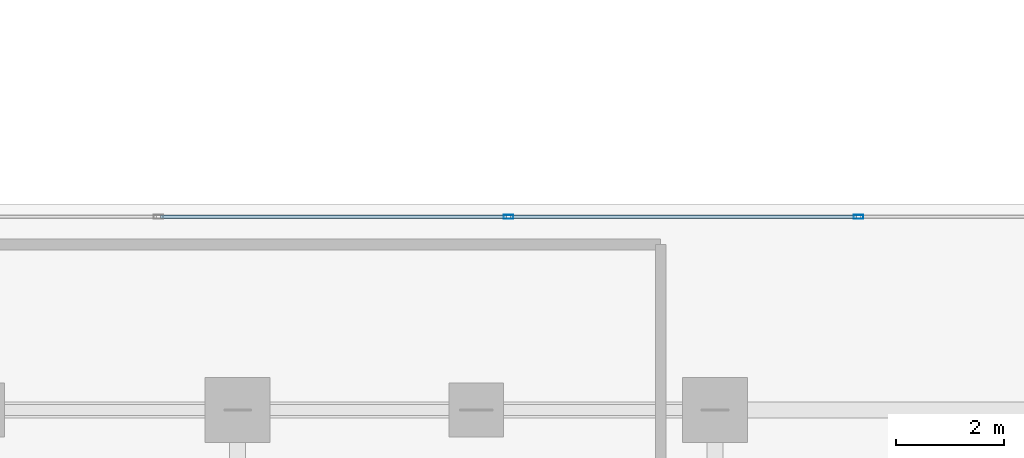
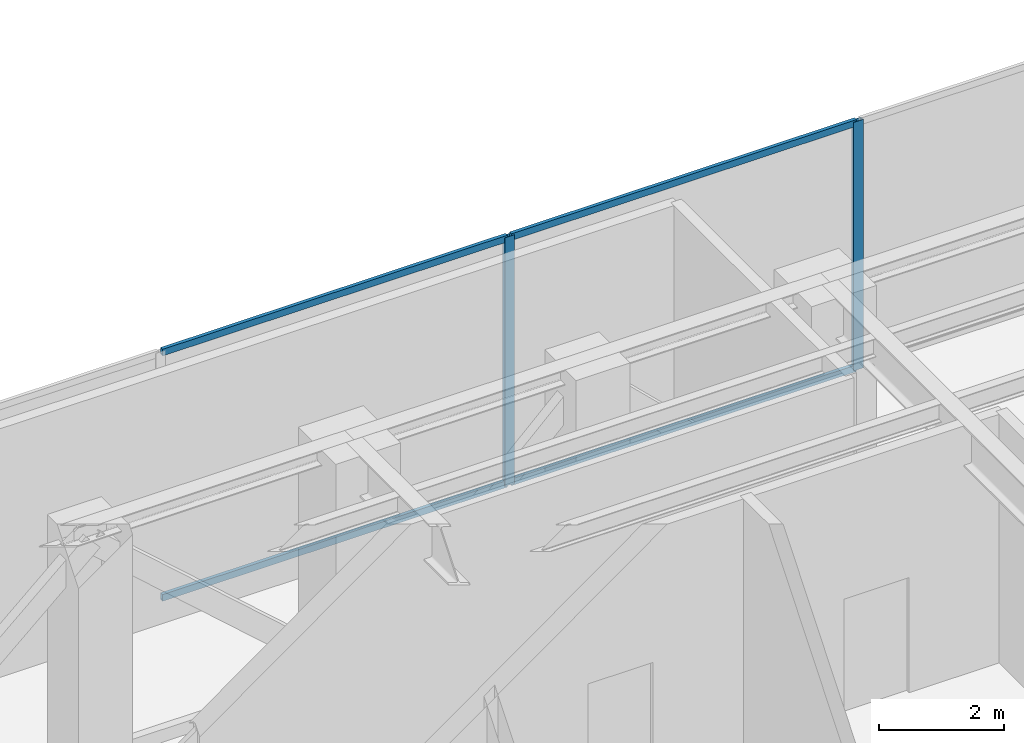
# One storey, part 20 of 36: 6 members, 1 element without a shape of its own.
"""IFC4 building model written with IfcOpenShell, lengths in metres."""

from ifc_helpers import new_model, si_unit, direction, frame, origin, origin_with_axes, origin_2d, place, context, subcontext, project, spatial, hollow_rectangle, extrude, source, transform, mapped, material, layer, layer_set, material_profile, profile_set, type_object, element, aggregate, save


model = new_model("IFC4")

# Units and contexts
model_context = context("Model", 3, precision=1e-05, world=origin(), true_north=direction((0.0, 1.0)))
body_context = subcontext(model_context, "Body", "Model", "MODEL_VIEW")
ifc_project = project(units=[si_unit("LENGTHUNIT", "METRE"), si_unit("AREAUNIT", "SQUARE_METRE"), si_unit("VOLUMEUNIT", "CUBIC_METRE"), si_unit("PLANEANGLEUNIT", "RADIAN"), si_unit("MASSUNIT", "GRAM", prefix="KILO")], contexts=[model_context])

# Site, building, storey
site_placement = place(None, origin())
site = spatial("IfcSite", under=ifc_project, at=site_placement, CompositionType="ELEMENT")
building_placement = place(site_placement, origin())
building = spatial("IfcBuilding", under=site, at=building_placement, Name="Kolvaren Waterfront Exchange", CompositionType="ELEMENT")
storey_placement = place(building_placement, frame((0.0, 0.0, 199.39990234375)))
storey = spatial("IfcBuildingStorey", under=building, at=storey_placement, Name="L51", CompositionType="ELEMENT", Elevation=199.39990234375)

# Curtain wall, members
ifc_material_1 = material(Name="Anodised dark bronze spandrel aluminium", Category="aluminium")
ifc_layer = layer(ifc_material_1, 0.219970703125, Name="Anodised dark bronze spandrel aluminium")
ifc_layer_set = layer_set([ifc_layer], Name="Anodised dark bronze spandrel aluminium")
curtain_wall_type = type_object("IfcCurtainWallType", Name="ARC-CW-SYS6", PredefinedType="USERDEFINED", material=ifc_layer_set)
curtain_wall_placement = place(storey_placement, origin())
curtain_wall = element("IfcCurtainWall", 1, at=curtain_wall_placement, inside=storey, type_object=curtain_wall_type, Name="L51 stick curtain wall CW6 (CW-L51-EN)", ObjectType="STICK CURTAIN WALL", PredefinedType="USERDEFINED")
ifc_material_2 = material(Name="Anodised bronze aluminium 6063-T6", Category="aluminium")
ifc_material_profile_1 = material_profile(ifc_material_2, hollow_rectangle(XDim=0.074951171875, YDim=0.179931640625, WallThickness=0.00439453125, at=origin_2d()), Name="ALU-MUL-180x75x4.5")
ifc_profile_set_1 = profile_set([ifc_material_profile_1], Name="Anodised bronze aluminium 6063-T6")
member_type_1 = type_object("IfcMemberType", Name="ARC-CWM-180", PredefinedType="MULLION", material=ifc_profile_set_1)
shared_shape_1 = source(origin_with_axes(), body_context, "Body", "SweptSolid", [
    extrude(hollow_rectangle(XDim=0.074951171875, YDim=0.179931640625, WallThickness=0.00439453125, at=origin_2d()), origin(), (0.0, 0.0, 1.0), 4.860107421875),
])
member_1_placement = place(storey_placement, frame((41.794921875, 20.9599609375, 0.0), z_axis=(0.0, 0.0, 1.0), x_axis=(0.0, 1.0, 0.0)))
member_1 = element("IfcMember", 2, at=member_1_placement, type_object=member_type_1, Name="CW6 mullion 3", PredefinedType="MULLION", context=body_context, shape_type="MappedRepresentation", body=[
    mapped(shared_shape_1, transform((0.0, 0.0, 0.0), x_axis=(1.0, 0.0, 0.0), y_axis=(0.0, 1.0, 0.0), z_axis=(0.0, 0.0, 1.0), scale=1.0)),
])
member_2_placement = place(storey_placement, frame((48.24755859375, 20.9599609375, 0.0), z_axis=(0.0, 0.0, 1.0), x_axis=(0.0, 1.0, 0.0)))
member_2 = element("IfcMember", 3, at=member_2_placement, type_object=member_type_1, Name="CW6 mullion 4", PredefinedType="MULLION", context=body_context, shape_type="MappedRepresentation", body=[
    mapped(shared_shape_1, transform((0.0, 0.0, 0.0), x_axis=(1.0, 0.0, 0.0), y_axis=(0.0, 1.0, 0.0), z_axis=(0.0, 0.0, 1.0), scale=1.0)),
])
ifc_material_profile_2 = material_profile(ifc_material_2, hollow_rectangle(XDim=0.06494140625, YDim=0.1298828125, WallThickness=0.00390625, at=origin_2d()), Name="ALU-TRN-130x65x4")
ifc_profile_set_2 = profile_set([ifc_material_profile_2], Name="Anodised bronze aluminium 6063-T6")
member_type_2 = type_object("IfcMemberType", Name="ARC-CWT-130", PredefinedType="USERDEFINED", material=ifc_profile_set_2)
shared_shape_2 = source(origin_with_axes(), body_context, "Body", "SweptSolid", [
    extrude(hollow_rectangle(XDim=0.06494140625, YDim=0.1298828125, WallThickness=0.00390625, at=origin_2d()), origin(), (0.0, 0.0, 1.0), 6.377685546875),
])
member_3_placement = place(storey_placement, frame((35.3798828125, 20.9599609375, 0.03271484375), z_axis=(1.0, 0.0, 0.0), x_axis=(0.0, 1.0, 0.0)))
member_3 = element("IfcMember", 4, at=member_3_placement, type_object=member_type_2, Name="CW6 transom 2.1", ObjectType="TRANSOM", PredefinedType="USERDEFINED", context=body_context, shape_type="MappedRepresentation", body=[
    mapped(shared_shape_2, transform((0.0, 0.0, 0.0), x_axis=(1.0, 0.0, 0.0), y_axis=(0.0, 1.0, 0.0), z_axis=(0.0, 0.0, 1.0), scale=1.0)),
])
member_4_placement = place(storey_placement, frame((35.3798828125, 20.9599609375, 4.82763671875), z_axis=(1.0, 0.0, 0.0), x_axis=(0.0, 1.0, 0.0)))
member_4 = element("IfcMember", 5, at=member_4_placement, type_object=member_type_2, Name="CW6 transom 2.2", ObjectType="TRANSOM", PredefinedType="USERDEFINED", context=body_context, shape_type="MappedRepresentation", body=[
    mapped(shared_shape_2, transform((0.0, 0.0, 0.0), x_axis=(1.0, 0.0, 0.0), y_axis=(0.0, 1.0, 0.0), z_axis=(0.0, 0.0, 1.0), scale=1.0)),
])
shared_shape_3 = source(origin_with_axes(), body_context, "Body", "SweptSolid", [
    extrude(hollow_rectangle(XDim=0.06494140625, YDim=0.1298828125, WallThickness=0.00390625, at=origin_2d()), origin(), (0.0, 0.0, 1.0), 6.37744140625),
])
member_5_placement = place(storey_placement, frame((41.83251953125, 20.9599609375, 0.03271484375), z_axis=(1.0, 0.0, 0.0), x_axis=(0.0, 1.0, 0.0)))
member_5 = element("IfcMember", 6, at=member_5_placement, type_object=member_type_2, Name="CW6 transom 3.1", ObjectType="TRANSOM", PredefinedType="USERDEFINED", context=body_context, shape_type="MappedRepresentation", body=[
    mapped(shared_shape_3, transform((0.0, 0.0, 0.0), x_axis=(1.0, 0.0, 0.0), y_axis=(0.0, 1.0, 0.0), z_axis=(0.0, 0.0, 1.0), scale=1.0)),
])
member_6_placement = place(storey_placement, frame((41.83251953125, 20.9599609375, 4.82763671875), z_axis=(1.0, 0.0, 0.0), x_axis=(0.0, 1.0, 0.0)))
member_6 = element("IfcMember", 7, at=member_6_placement, type_object=member_type_2, Name="CW6 transom 3.2", ObjectType="TRANSOM", PredefinedType="USERDEFINED", context=body_context, shape_type="MappedRepresentation", body=[
    mapped(shared_shape_3, transform((0.0, 0.0, 0.0), x_axis=(1.0, 0.0, 0.0), y_axis=(0.0, 1.0, 0.0), z_axis=(0.0, 0.0, 1.0), scale=1.0)),
])
aggregate(curtain_wall, [member_1, member_2, member_3, member_4, member_5, member_6])

save(model, "model.ifc")
